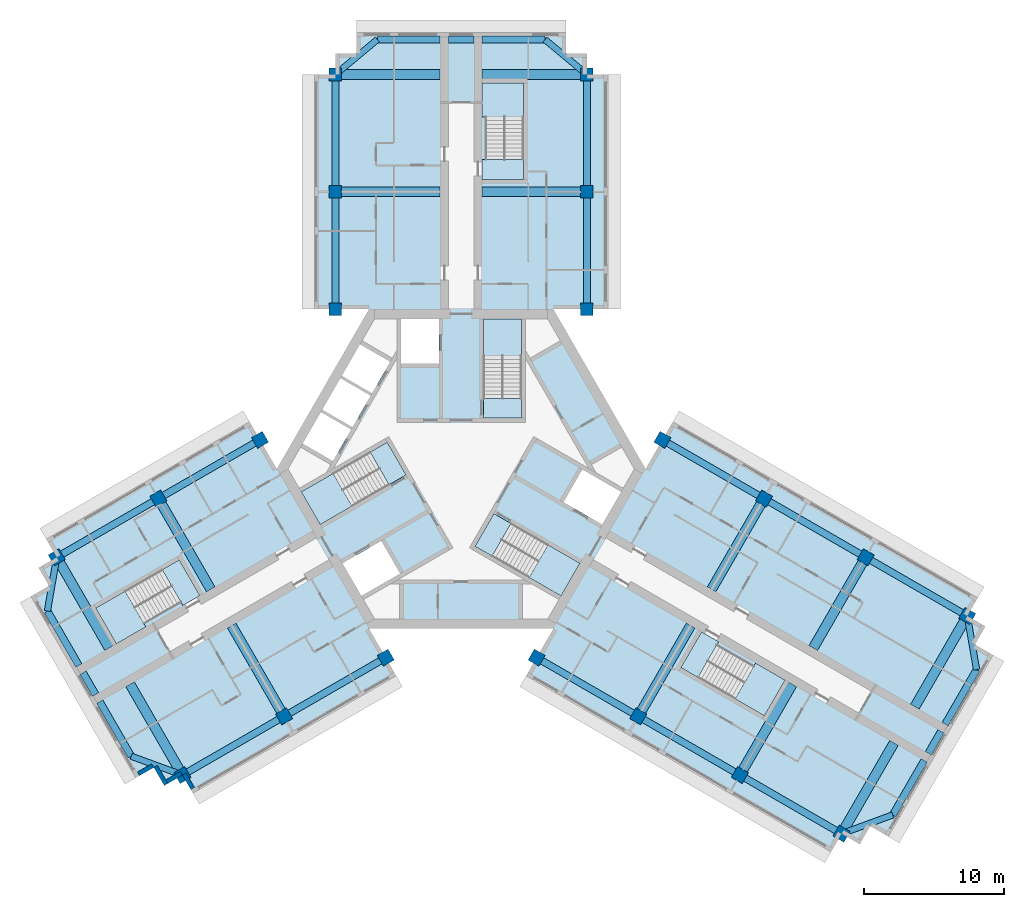
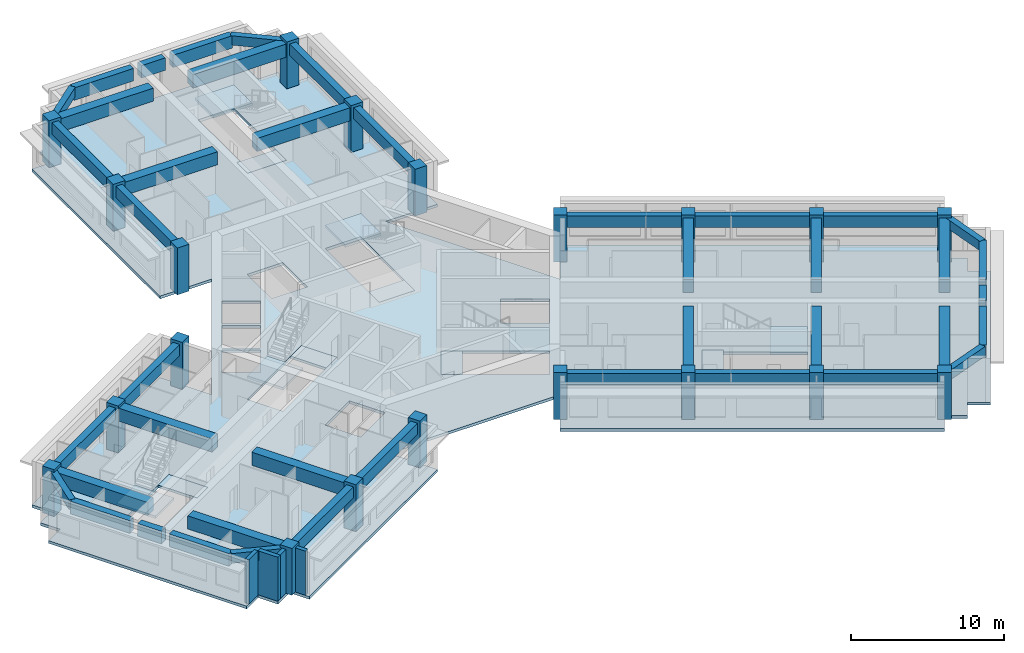
# One storey, part 1 of 10: 43 beams, 20 columns, 13 slabs, 4 walls, 6 elements without a shape of their own.
"""IFC4 building model written with IfcOpenShell, lengths in metres."""

from ifc_helpers import new_model, si_unit, direction, frame, frame_2d, origin, origin_2d, place, context, subcontext, project, spatial, polyline, rectangle, outline, extrude, material, layer, layer_set, material_profile, profile_set, type_object, element, aggregate, save


model = new_model("IFC4")

# Units and contexts
model_context = context("Model", 3, precision=1e-05, world=origin(), true_north=direction((0.0, 1.0)))
body_context = subcontext(model_context, "Body", "Model", "MODEL_VIEW")
ifc_project = project(units=[si_unit("LENGTHUNIT", "METRE"), si_unit("AREAUNIT", "SQUARE_METRE"), si_unit("VOLUMEUNIT", "CUBIC_METRE"), si_unit("PLANEANGLEUNIT", "RADIAN"), si_unit("MASSUNIT", "GRAM", prefix="KILO")], contexts=[model_context])

# Site, building, storey
site_placement = place(None, origin())
site = spatial("IfcSite", under=ifc_project, at=site_placement, CompositionType="ELEMENT")
building_placement = place(site_placement, origin())
building = spatial("IfcBuilding", under=site, at=building_placement, Name="Impinga Residences", CompositionType="ELEMENT")
storey_placement = place(building_placement, frame((0.0, 0.0, 226.0)))
storey = spatial("IfcBuildingStorey", under=building, at=storey_placement, Name="L56", CompositionType="ELEMENT", Elevation=226.0)

# Columns
ifc_material_1 = material(Name="Concrete C60/75", Category="concrete")
ifc_material_profile_1 = material_profile(ifc_material_1, rectangle(XDim=0.89990234375, YDim=0.89990234375, at=origin_2d()), Name="RC 900x900")
ifc_profile_set_1 = profile_set([ifc_material_profile_1], Name="Concrete C60/75")
column_type = type_object("IfcColumnType", Name="C4 900x900 column", PredefinedType="COLUMN", material=ifc_profile_set_1)
for number, where, z_axis, x_axis, name in (
    (1, (-9.0, 11.431640625, 0.0), (0.0, 0.0, 1.0), (1.0, 0.0, 0.0), "Column C4 N1/NA L56"),
    (2, (9.0, 11.431640625, 0.0), (0.0, 0.0, 1.0), (1.0, 0.0, 0.0), "Column C4 N1/NF L56"),
    (3, (-9.0, 19.83154296875, 0.0), (0.0, 0.0, 1.0), (1.0, 0.0, 0.0), "Column C4 N2/NA L56"),
    (4, (9.0, 19.83154296875, 0.0), (0.0, 0.0, 1.0), (1.0, 0.0, 0.0), "Column C4 N2/NF L56"),
    (5, (-9.0, 28.2314453125, 0.0), (0.0, 0.0, 1.0), (1.0, 0.0, 0.0), "Column C4 N3/NA L56"),
    (6, (9.0, 28.2314453125, 0.0), (0.0, 0.0, 1.0), (1.0, 0.0, 0.0), "Column C4 N3/NF L56"),
    (7, (-5.39990234375, -13.510009765625, 0.0), (0.0, 0.0, 1.0), (-0.5, 0.866025403784, 0.0), "Column C4 W1/WA L56"),
    (8, (-14.39990234375, 2.078369140625, 0.0), (0.0, 0.0, 1.0), (-0.5, 0.866025403784, 0.0), "Column C4 W1/WF L56"),
    (9, (-12.674560546875, -17.7099609375, 0.0), (0.0, 0.0, 1.0), (-0.5, 0.866025403784, 0.0), "Column C4 W2/WA L56"),
    (10, (-21.674560546875, -2.12158203125, 0.0), (0.0, 0.0, 1.0), (-0.5, 0.866025403784, 0.0), "Column C4 W2/WF L56"),
    (11, (-19.94921875, -21.909912109375, 0.0), (0.0, 0.0, 1.0), (-0.5, 0.866025403784, 0.0), "Column C4 W3/WA L56"),
    (12, (-28.94921875, -6.321533203125, 0.0), (0.0, 0.0, 1.0), (-0.5, 0.866025403784, 0.0), "Column C4 W3/WF L56"),
    (13, (14.39990234375, 2.078369140625, 0.0), (0.0, 0.0, 1.0), (-0.5, -0.866025403784, 0.0), "Column C4 E1/EA L56"),
    (14, (5.39990234375, -13.510009765625, 0.0), (0.0, 0.0, 1.0), (-0.5, -0.866025403784, 0.0), "Column C4 E1/EF L56"),
    (15, (21.674560546875, -2.12158203125, 0.0), (0.0, 0.0, 1.0), (-0.5, -0.866025403784, 0.0), "Column C4 E2/EA L56"),
    (16, (12.674560546875, -17.7099609375, 0.0), (0.0, 0.0, 1.0), (-0.5, -0.866025403784, 0.0), "Column C4 E2/EF L56"),
    (17, (28.94921875, -6.321533203125, 0.0), (0.0, 0.0, 1.0), (-0.5, -0.866025403784, 0.0), "Column C4 E3/EA L56"),
    (18, (19.94921875, -21.909912109375, 0.0), (0.0, 0.0, 1.0), (-0.5, -0.866025403784, 0.0), "Column C4 E3/EF L56"),
    (19, (36.223876953125, -10.521484375, 0.0), (0.0, 0.0, 1.0), (-0.5, -0.866025403784, 0.0), "Column C4 E4/EA L56"),
    (20, (27.223876953125, -26.110107421875, 0.0), (0.0, 0.0, 1.0), (-0.5, -0.866025403784, 0.0), "Column C4 E4/EF L56"),
):
    element("IfcColumn", number, at=place(storey_placement, frame(where, z_axis=z_axis, x_axis=x_axis)), inside=storey, type_object=column_type, Name=name, PredefinedType="COLUMN", context=body_context, shape_type="SweptSolid", body=[
        extrude(rectangle(XDim=0.89990234375, YDim=0.89990234375, at=origin_2d()), origin(), (0.0, 0.0, 1.0), 3.75),
    ])

# Beams
ifc_material_profile_2 = material_profile(ifc_material_1, rectangle(XDim=0.449951171875, YDim=0.75, at=origin_2d()), Name="RC 450x750")
ifc_profile_set_2 = profile_set([ifc_material_profile_2], Name="Concrete C60/75")
beam_type_1 = type_object("IfcBeamType", Name="CB1 450x750 wing end cantilever beam", PredefinedType="BEAM", material=ifc_profile_set_2)
for number, where, z_axis, x_axis, name in (
    (21, (-9.0, 28.2314453125, 3.155029296875), (0.768221279597, 0.640184399664, 0.0), (-0.640184399664, 0.768221279597, 0.0), "Beam CB1 NB N3-NX level L57"),
    (22, (9.0, 28.2314453125, 3.155029296875), (-0.768221279597, 0.640184399664, 0.0), (-0.640184399664, -0.768221279597, 0.0), "Beam CB1 NE N3-NX level L57"),
    (23, (-19.94921875, -21.909912109375, 3.155029296875), (-0.93854043338, 0.345169313396, 0.0), (-0.345169313396, -0.93854043338, 0.0), "Beam CB1 WB W3-WX level L57"),
):
    element("IfcBeam", number, at=place(storey_placement, frame(where, z_axis=z_axis, x_axis=x_axis)), inside=storey, type_object=beam_type_1, Name=name, PredefinedType="BEAM", context=body_context, shape_type="SweptSolid", body=[
        extrude(rectangle(XDim=0.449951171875, YDim=0.75, at=origin_2d()), origin(), (0.0, 0.0, 1.0), 3.905029296875),
    ])
for number, where, z_axis, x_axis, name in (
    (24, (-28.94921875, -6.321533203125, 3.155029296875), (-0.170296298948, -0.985392901621, 0.0), (0.985392901621, -0.170296298948, 0.0), "Beam CB1 WE W3-WX level L57"),
    (25, (36.223876953125, -10.521484375, 3.155029296875), (0.170296298948, -0.985392901621, 0.0), (0.985392901621, 0.170296298948, 0.0), "Beam CB1 EB E4-EX level L57"),
):
    element("IfcBeam", number, at=place(storey_placement, frame(where, z_axis=z_axis, x_axis=x_axis)), inside=storey, type_object=beam_type_1, Name=name, PredefinedType="BEAM", context=body_context, shape_type="SweptSolid", body=[
        extrude(rectangle(XDim=0.449951171875, YDim=0.75, at=origin_2d()), origin(), (0.0, 0.0, 1.0), 3.9052734375),
    ])
beam_1_placement = place(storey_placement, frame((27.223876953125, -26.110107421875, 3.155029296875), z_axis=(0.938520178725, 0.345224382289, 0.0), x_axis=(-0.345224382289, 0.938520178725, 0.0)))
element("IfcBeam", 26, at=beam_1_placement, inside=storey, type_object=beam_type_1, Name="Beam CB1 EE E4-EX level L57", PredefinedType="BEAM", context=body_context, shape_type="SweptSolid", body=[
    extrude(rectangle(XDim=0.449951171875, YDim=0.75, at=origin_2d()), origin(), (0.0, 0.0, 1.0), 3.905029296875),
])
ifc_material_profile_3 = material_profile(ifc_material_1, rectangle(XDim=0.699951171875, YDim=1.050048828125, at=origin_2d()), Name="RC 700x1050")
ifc_profile_set_3 = profile_set([ifc_material_profile_3], Name="Concrete C60/75")
beam_type_2 = type_object("IfcBeamType", Name="CG1 700x1050 cross girder on a wing bay line", PredefinedType="BEAM", material=ifc_profile_set_3)
for number, where, z_axis, x_axis, name in (
    (27, (-1.5, 19.83154296875, 3.0048828125), (-1.0, 0.0, 0.0), (0.0, -1.0, 0.0), "Beam CG1 N2 NC/NA level L57"),
    (28, (-1.5, 28.2314453125, 3.0048828125), (-1.0, 0.0, 0.0), (0.0, -1.0, 0.0), "Beam CG1 N3 NC/NA level L57"),
    (29, (1.5, 19.83154296875, 3.0048828125), (1.0, 0.0, 0.0), (0.0, 1.0, 0.0), "Beam CG1 N2 NC/NF level L57"),
    (30, (1.5, 28.2314453125, 3.0048828125), (1.0, 0.0, 0.0), (0.0, 1.0, 0.0), "Beam CG1 N3 NC/NF level L57"),
    (31, (-16.424560546875, -11.21484375, 3.0048828125), (0.500004234368, -0.866022959057, 0.0), (0.866022959057, 0.500004234368, 0.0), "Beam CG1 W2 WC/WA level L57"),
    (32, (-23.69921875, -15.414794921875, 3.0048828125), (0.500004234368, -0.866022959057, 0.0), (0.866022959057, 0.500004234368, 0.0), "Beam CG1 W3 WC/WA level L57"),
    (33, (-17.924560546875, -8.61669921875, 3.0048828125), (-0.500004234368, 0.866022959057, 0.0), (-0.866022959057, -0.500004234368, 0.0), "Beam CG1 W2 WC/WF level L57"),
    (34, (-25.19921875, -12.816650390625, 3.0048828125), (-0.500004234368, 0.866022959057, 0.0), (-0.866022959057, -0.500004234368, 0.0), "Beam CG1 W3 WC/WF level L57"),
    (35, (17.924560546875, -8.61669921875, 3.0048828125), (0.500004234368, 0.866022959057, 0.0), (-0.866022959057, 0.500004234368, 0.0), "Beam CG1 E2 EC/EA level L57"),
    (36, (25.19921875, -12.816650390625, 3.0048828125), (0.500004234368, 0.866022959057, 0.0), (-0.866022959057, 0.500004234368, 0.0), "Beam CG1 E3 EC/EA level L57"),
):
    element("IfcBeam", number, at=place(storey_placement, frame(where, z_axis=z_axis, x_axis=x_axis)), inside=storey, type_object=beam_type_2, Name=name, PredefinedType="BEAM", context=body_context, shape_type="SweptSolid", body=[
        extrude(rectangle(XDim=0.699951171875, YDim=1.050048828125, at=origin_2d()), origin(), (0.0, 0.0, 1.0), 7.5),
    ])
beam_2_placement = place(storey_placement, frame((32.473876953125, -17.016845703125, 3.0048828125), z_axis=(0.499990139034, 0.866031096941, 0.0), x_axis=(-0.866031096941, 0.499990139034, 0.0)))
element("IfcBeam", 37, at=beam_2_placement, inside=storey, type_object=beam_type_2, Name="Beam CG1 E4 EC/EA level L57", PredefinedType="BEAM", context=body_context, shape_type="SweptSolid", body=[
    extrude(rectangle(XDim=0.699951171875, YDim=1.050048828125, at=origin_2d()), origin(), (0.0, 0.0, 1.0), 7.500244140625),
])
for number, where, z_axis, x_axis, name in (
    (38, (16.424560546875, -11.21484375, 3.0048828125), (-0.500004234368, -0.866022959057, 0.0), (0.866022959057, -0.500004234368, 0.0), "Beam CG1 E2 EC/EF level L57"),
    (39, (23.69921875, -15.414794921875, 3.0048828125), (-0.500004234368, -0.866022959057, 0.0), (0.866022959057, -0.500004234368, 0.0), "Beam CG1 E3 EC/EF level L57"),
):
    element("IfcBeam", number, at=place(storey_placement, frame(where, z_axis=z_axis, x_axis=x_axis)), inside=storey, type_object=beam_type_2, Name=name, PredefinedType="BEAM", context=body_context, shape_type="SweptSolid", body=[
        extrude(rectangle(XDim=0.699951171875, YDim=1.050048828125, at=origin_2d()), origin(), (0.0, 0.0, 1.0), 7.5),
    ])
beam_3_placement = place(storey_placement, frame((30.973876953125, -19.61474609375, 3.0048828125), z_axis=(-0.499990139034, -0.866031096941, 0.0), x_axis=(0.866031096941, -0.499990139034, 0.0)))
element("IfcBeam", 40, at=beam_3_placement, inside=storey, type_object=beam_type_2, Name="Beam CG1 E4 EC/EF level L57", PredefinedType="BEAM", context=body_context, shape_type="SweptSolid", body=[
    extrude(rectangle(XDim=0.699951171875, YDim=1.050048828125, at=origin_2d()), origin(), (0.0, 0.0, 1.0), 7.500244140625),
])
ifc_material_profile_4 = material_profile(ifc_material_1, rectangle(XDim=0.5, YDim=1.0, at=origin_2d()), Name="RC 500x1000")
ifc_profile_set_4 = profile_set([ifc_material_profile_4], Name="Concrete C60/75")
beam_type_3 = type_object("IfcBeamType", Name="EB1 500x1000 wing end beam", PredefinedType="BEAM", material=ifc_profile_set_4)
beam_4_placement = place(storey_placement, frame((-6.0, 30.7314453125, 3.030029296875), z_axis=(1.0, 0.0, 0.0), x_axis=(0.0, 1.0, 0.0)))
element("IfcBeam", 41, at=beam_4_placement, inside=storey, type_object=beam_type_3, Name="Beam EB1 NX2 level L57", PredefinedType="BEAM", context=body_context, shape_type="SweptSolid", body=[
    extrude(rectangle(XDim=0.5, YDim=1.0, at=origin_2d()), origin(), (0.0, 0.0, 1.0), 4.5),
])
beam_5_placement = place(storey_placement, frame((-0.89990234375, 30.7314453125, 3.030029296875), z_axis=(1.0, 0.0, 0.0), x_axis=(0.0, 1.0, 0.0)))
element("IfcBeam", 42, at=beam_5_placement, inside=storey, type_object=beam_type_3, Name="Beam EB1 NX2 level L57", PredefinedType="BEAM", context=body_context, shape_type="SweptSolid", body=[
    extrude(rectangle(XDim=0.5, YDim=1.0, at=origin_2d()), origin(), (0.0, 0.0, 1.0), 1.7998046875),
])
for number, where, z_axis, x_axis, name in (
    (43, (1.5, 30.7314453125, 3.030029296875), (1.0, 0.0, 0.0), (0.0, 1.0, 0.0), "Beam EB1 NX2 level L57"),
    (44, (-23.6142578125, -20.56201171875, 3.030029296875), (-0.499990139034, 0.866031096941, 0.0), (-0.866031096941, -0.499990139034, 0.0), "Beam EB1 WX2 level L57"),
):
    element("IfcBeam", number, at=place(storey_placement, frame(where, z_axis=z_axis, x_axis=x_axis)), inside=storey, type_object=beam_type_3, Name=name, PredefinedType="BEAM", context=body_context, shape_type="SweptSolid", body=[
        extrude(rectangle(XDim=0.5, YDim=1.0, at=origin_2d()), origin(), (0.0, 0.0, 1.0), 4.5),
    ])
beam_6_placement = place(storey_placement, frame((-26.164306640625, -16.145263671875, 3.030029296875), z_axis=(-0.499961193289, 0.866047807691, 0.0), x_axis=(-0.866047807691, -0.499961193289, 0.0)))
element("IfcBeam", 45, at=beam_6_placement, inside=storey, type_object=beam_type_3, Name="Beam EB1 WX2 level L57", PredefinedType="BEAM", context=body_context, shape_type="SweptSolid", body=[
    extrude(rectangle(XDim=0.5, YDim=1.0, at=origin_2d()), origin(), (0.0, 0.0, 1.0), 1.800048828125),
])
beam_7_placement = place(storey_placement, frame((-27.3642578125, -14.066650390625, 3.030029296875), z_axis=(-0.500013631625, 0.866017533419, 0.0), x_axis=(-0.866017533419, -0.500013631625, 0.0)))
element("IfcBeam", 46, at=beam_7_placement, inside=storey, type_object=beam_type_3, Name="Beam EB1 WX2 level L57", PredefinedType="BEAM", context=body_context, shape_type="SweptSolid", body=[
    extrude(rectangle(XDim=0.5, YDim=1.0, at=origin_2d()), origin(), (0.0, 0.0, 1.0), 4.499755859375),
])
beam_8_placement = place(storey_placement, frame((36.888916015625, -14.36962890625, 3.030029296875), z_axis=(-0.499990139034, -0.866031096941, 0.0), x_axis=(0.866031096941, -0.499990139034, 0.0)))
element("IfcBeam", 47, at=beam_8_placement, inside=storey, type_object=beam_type_3, Name="Beam EB1 EX3 level L57", PredefinedType="BEAM", context=body_context, shape_type="SweptSolid", body=[
    extrude(rectangle(XDim=0.5, YDim=1.0, at=origin_2d()), origin(), (0.0, 0.0, 1.0), 4.5),
])
beam_9_placement = place(storey_placement, frame((34.3388671875, -18.786376953125, 3.030029296875), z_axis=(-0.499961193289, -0.866047807691, 0.0), x_axis=(0.866047807691, -0.499961193289, 0.0)))
element("IfcBeam", 48, at=beam_9_placement, inside=storey, type_object=beam_type_3, Name="Beam EB1 EX3 level L57", PredefinedType="BEAM", context=body_context, shape_type="SweptSolid", body=[
    extrude(rectangle(XDim=0.5, YDim=1.0, at=origin_2d()), origin(), (0.0, 0.0, 1.0), 1.800048828125),
])
beam_10_placement = place(storey_placement, frame((33.138916015625, -20.86474609375, 3.030029296875), z_axis=(-0.499990139034, -0.866031096941, 0.0), x_axis=(0.866031096941, -0.499990139034, 0.0)))
element("IfcBeam", 49, at=beam_10_placement, inside=storey, type_object=beam_type_3, Name="Beam EB1 EX3 level L57", PredefinedType="BEAM", context=body_context, shape_type="SweptSolid", body=[
    extrude(rectangle(XDim=0.5, YDim=1.0, at=origin_2d()), origin(), (0.0, 0.0, 1.0), 4.5),
])
ifc_material_profile_5 = material_profile(ifc_material_1, rectangle(XDim=0.5, YDim=0.89990234375, at=origin_2d()), Name="RC 500x900")
ifc_profile_set_5 = profile_set([ifc_material_profile_5], Name="Concrete C60/75")
beam_type_4 = type_object("IfcBeamType", Name="SB1 500x900 perimeter spandrel beam", PredefinedType="SPANDREL", material=ifc_profile_set_5)
for number, where, z_axis, x_axis, name in (
    (50, (-9.0, 11.431640625, 3.080078125), (0.0, 1.0, 0.0), (-1.0, 0.0, 0.0), "Beam SB1 NA N1-N2 level L57"),
    (51, (-9.0, 19.83154296875, 3.080078125), (0.0, 1.0, 0.0), (-1.0, 0.0, 0.0), "Beam SB1 NA N2-N3 level L57"),
    (52, (9.0, 11.431640625, 3.080078125), (0.0, 1.0, 0.0), (-1.0, 0.0, 0.0), "Beam SB1 NF N1-N2 level L57"),
    (53, (9.0, 19.83154296875, 3.080078125), (0.0, 1.0, 0.0), (-1.0, 0.0, 0.0), "Beam SB1 NF N2-N3 level L57"),
    (54, (-5.39990234375, -13.510009765625, 3.080078125), (-0.86602925447, -0.499993330357, 0.0), (0.499993330357, -0.86602925447, 0.0), "Beam SB1 WA W1-W2 level L57"),
    (55, (-12.674560546875, -17.7099609375, 3.080078125), (-0.86602925447, -0.499993330357, 0.0), (0.499993330357, -0.86602925447, 0.0), "Beam SB1 WA W2-W3 level L57"),
    (56, (-14.39990234375, 2.078369140625, 3.080078125), (-0.86602925447, -0.499993330357, 0.0), (0.499993330357, -0.86602925447, 0.0), "Beam SB1 WF W1-W2 level L57"),
    (57, (-21.674560546875, -2.12158203125, 3.080078125), (-0.86602925447, -0.499993330357, 0.0), (0.499993330357, -0.86602925447, 0.0), "Beam SB1 WF W2-W3 level L57"),
    (58, (14.39990234375, 2.078369140625, 3.080078125), (0.86602925447, -0.499993330357, 0.0), (0.499993330357, 0.86602925447, 0.0), "Beam SB1 EA E1-E2 level L57"),
    (59, (21.674560546875, -2.12158203125, 3.080078125), (0.86602925447, -0.499993330357, 0.0), (0.499993330357, 0.86602925447, 0.0), "Beam SB1 EA E2-E3 level L57"),
    (60, (28.94921875, -6.321533203125, 3.080078125), (0.86602925447, -0.499993330357, 0.0), (0.499993330357, 0.86602925447, 0.0), "Beam SB1 EA E3-E4 level L57"),
    (61, (5.39990234375, -13.510009765625, 3.080078125), (0.86602925447, -0.499993330357, 0.0), (0.499993330357, 0.86602925447, 0.0), "Beam SB1 EF E1-E2 level L57"),
    (62, (12.674560546875, -17.7099609375, 3.080078125), (0.86602925447, -0.499993330357, 0.0), (0.499993330357, 0.86602925447, 0.0), "Beam SB1 EF E2-E3 level L57"),
):
    element("IfcBeam", number, at=place(storey_placement, frame(where, z_axis=z_axis, x_axis=x_axis)), inside=storey, type_object=beam_type_4, Name=name, PredefinedType="SPANDREL", context=body_context, shape_type="SweptSolid", body=[
        extrude(rectangle(XDim=0.5, YDim=0.89990234375, at=origin_2d()), origin(), (0.0, 0.0, 1.0), 8.39990234375),
    ])
beam_11_placement = place(storey_placement, frame((19.94921875, -21.909912109375, 3.080078125), z_axis=(0.866016669275, -0.500015128309, 0.0), x_axis=(0.500015128309, 0.866016669275, 0.0)))
element("IfcBeam", 63, at=beam_11_placement, inside=storey, type_object=beam_type_4, Name="Beam SB1 EF E3-E4 level L57", PredefinedType="SPANDREL", context=body_context, shape_type="SweptSolid", body=[
    extrude(rectangle(XDim=0.5, YDim=0.89990234375, at=origin_2d()), origin(), (0.0, 0.0, 1.0), 8.400146484375),
])

# Slab
ifc_layer_1 = layer(ifc_material_1, 0.219970703125)
ifc_layer_set_1 = layer_set([ifc_layer_1], Name="Concrete C60/75")
slab_type_1 = type_object("IfcSlabType", Name="FS1 tower floor slab 220", PredefinedType="FLOOR", material=ifc_layer_set_1)
slab_1_placement = place(storey_placement, frame((0.0, 0.0, -0.219970703125)))
element("IfcSlab", 64, at=slab_1_placement, inside=storey, type_object=slab_type_1, Name="Floor slab FS1 L56", PredefinedType="FLOOR", context=body_context, shape_type="SweptSolid", body=[
    extrude(outline(polyline([(36.223876953125, -10.521484375), (37.52294921875, -11.271484375), (36.77294921875, -12.570556640625), (38.072021484375, -13.320556640625), (30.572021484375, -26.31103515625), (29.27294921875, -25.56103515625), (28.52294921875, -26.860107421875), (27.223876953125, -26.110107421875), (26.473876953125, -27.408935546875), (4.64990234375, -14.80908203125), (9.900146484375, -5.7158203125), (6.60009765625, -11.431640625), (-6.60009765625, -11.431640625), (-9.900146484375, -5.7158203125), (-4.64990234375, -14.80908203125), (-19.19921875, -23.208984375), (-19.94921875, -21.909912109375), (-21.248291015625, -22.659912109375), (-21.998291015625, -21.36083984375), (-23.29736328125, -22.11083984375), (-30.79736328125, -9.12060546875), (-29.498291015625, -8.37060546875), (-30.248291015625, -7.071533203125), (-28.94921875, -6.321533203125), (-29.69921875, -5.0224609375), (-15.14990234375, 3.37744140625), (-13.199951171875, 0.0), (-6.60009765625, 11.431640625), (-10.5, 11.431640625), (-10.5, 28.2314453125), (-9.0, 28.2314453125), (-9.0, 29.7314453125), (-7.5, 29.7314453125), (-7.5, 31.2314453125), (7.5, 31.2314453125), (7.5, 29.7314453125), (9.0, 29.7314453125), (9.0, 28.2314453125), (10.5, 28.2314453125), (10.5, 11.431640625), (6.60009765625, 11.431640625), (13.199951171875, 0.0), (15.14990234375, 3.37744140625), (36.973876953125, -9.222412109375), (36.223876953125, -10.521484375)]), holes=[polyline([(-18.7041015625, -9.066650390625), (-18.8291015625, -8.850341796875), (-18.8291015625, -8.850341796875), (-20.178955078125, -6.511962890625), (-21.391357421875, -7.2119140625), (-21.391357421875, -7.2119140625), (-26.154541015625, -9.9619140625), (-24.8046875, -12.30029296875), (-20.04150390625, -9.55029296875), (-19.91650390625, -9.766845703125), (-18.7041015625, -9.066650390625)]), polyline([(-5.72119140625, -5.150634765625), (-8.493896484375, -6.75146484375), (-7.143798828125, -9.089599609375), (-4.37109375, -7.489013671875), (-5.72119140625, -5.150634765625)]), polyline([(-5.293701171875, 1.908935546875), (-11.44384765625, -1.641845703125), (-10.09375, -3.980224609375), (-3.943603515625, -0.429443359375), (-5.293701171875, 1.908935546875)]), polyline([(-7.878662109375, 2.816650390625), (-10.043701171875, 4.066650390625), (-11.34375, 1.81494140625), (-9.1787109375, 0.56494140625), (-7.878662109375, 2.816650390625)]), polyline([(-6.478759765625, 5.24169921875), (-8.643798828125, 6.49169921875), (-9.94384765625, 4.239990234375), (-7.77880859375, 2.989990234375), (-6.478759765625, 5.24169921875)]), polyline([(-6.378662109375, 5.414794921875), (-5.07861328125, 7.66650390625), (-7.243896484375, 8.91650390625), (-8.543701171875, 6.664794921875), (-6.378662109375, 5.414794921875)]), polyline([(-4.300048828125, 7.530029296875), (-1.60009765625, 7.530029296875), (-1.60009765625, 10.7314453125), (-4.300048828125, 10.7314453125), (-4.300048828125, 7.530029296875)]), polyline([(15.72900390625, -14.219482421875), (21.70458984375, -17.669677734375), (23.0546875, -15.331298828125), (18.29150390625, -12.581298828125), (18.41650390625, -12.36474609375), (17.2041015625, -11.664794921875), (15.72900390625, -14.219482421875)]), polyline([(0.99365234375, -5.538818359375), (7.143798828125, -9.089599609375), (8.493896484375, -6.75146484375), (2.34375, -3.20068359375), (0.99365234375, -5.538818359375)]), polyline([(7.3212890625, -2.37939453125), (10.09375, -3.980224609375), (11.44384765625, -1.641845703125), (8.671142578125, -0.041015625), (7.3212890625, -2.37939453125)]), polyline([(4.300048828125, 3.6298828125), (4.300048828125, 10.7314453125), (1.60009765625, 10.7314453125), (1.60009765625, 3.6298828125), (4.300048828125, 3.6298828125)]), polyline([(1.75, 22.131591796875), (1.5, 22.131591796875), (1.5, 20.7314453125), (1.75, 20.7314453125), (4.449951171875, 20.7314453125), (4.449951171875, 22.131591796875), (4.449951171875, 27.631591796875), (1.75, 27.631591796875), (1.75, 22.131591796875)])]), origin(), (0.0, 0.0, 1.0), 0.219970703125),
])

# Stair, slabs
ifc_material_2 = material(Name="Concrete C40/50", Category="concrete")
stair_type_1 = type_object("IfcStairType", Name="STR core stair 3750 storey, 24 risers", PredefinedType="HALF_TURN_STAIR", material=ifc_material_2)
stair_1_placement = place(storey_placement, origin())
stair_1 = element("IfcStair", 65, at=stair_1_placement, inside=storey, type_object=stair_type_1, Name="Stair ST1 L56", PredefinedType="HALF_TURN_STAIR")
ifc_layer_2 = layer(ifc_material_2, 0.199951171875)
ifc_layer_set_2 = layer_set([ifc_layer_2], Name="Concrete C40/50")
slab_type_2 = type_object("IfcSlabType", Name="LS1 stair landing 200", PredefinedType="LANDING", material=ifc_layer_set_2)
slab_2_placement = place(storey_placement, frame((0.0, 0.0, -0.199951171875)))
slab_2 = element("IfcSlab", 66, at=slab_2_placement, type_object=slab_type_2, Name="ST1 landing 1", PredefinedType="LANDING", context=body_context, shape_type="SweptSolid", body=[
    extrude(outline(polyline([(1.60009765625, 3.6298828125), (4.300048828125, 3.6298828125), (4.300048828125, 5.0400390625), (1.60009765625, 5.0400390625), (1.60009765625, 3.6298828125)])), origin(), (0.0, 0.0, 1.0), 0.199951171875),
])
slab_3_placement = place(storey_placement, frame((0.0, 0.0, 1.675048828125)))
slab_3 = element("IfcSlab", 67, at=slab_3_placement, type_object=slab_type_2, Name="ST1 landing 2", PredefinedType="LANDING", context=body_context, shape_type="SweptSolid", body=[
    extrude(outline(polyline([(1.60009765625, 8.10009765625), (4.300048828125, 8.10009765625), (4.300048828125, 10.7314453125), (1.60009765625, 10.7314453125), (1.60009765625, 8.10009765625)])), origin(), (0.0, 0.0, 1.0), 0.199951171875),
])
aggregate(stair_1, [slab_2, slab_3])

stair_2_placement = place(storey_placement, origin())
stair_2 = element("IfcStair", 68, at=stair_2_placement, inside=storey, type_object=stair_type_1, Name="Stair ST2 L56", PredefinedType="HALF_TURN_STAIR")
slab_4_placement = place(storey_placement, frame((0.0, 0.0, -0.199951171875)))
slab_4 = element("IfcSlab", 69, at=slab_4_placement, type_object=slab_type_2, Name="ST2 landing 1", PredefinedType="LANDING", context=body_context, shape_type="SweptSolid", body=[
    extrude(outline(polyline([(-3.943603515625, -0.429443359375), (-5.293701171875, 1.908935546875), (-6.5146484375, 1.203857421875), (-5.164794921875, -1.13427734375), (-3.943603515625, -0.429443359375)])), origin(), (0.0, 0.0, 1.0), 0.199951171875),
])
slab_5_placement = place(storey_placement, frame((0.0, 0.0, 1.675048828125)))
slab_5 = element("IfcSlab", 70, at=slab_5_placement, type_object=slab_type_2, Name="ST2 landing 2", PredefinedType="LANDING", context=body_context, shape_type="SweptSolid", body=[
    extrude(outline(polyline([(-7.814697265625, -2.664306640625), (-9.164794921875, -0.326171875), (-11.44384765625, -1.641845703125), (-10.09375, -3.980224609375), (-7.814697265625, -2.664306640625)])), origin(), (0.0, 0.0, 1.0), 0.199951171875),
])
aggregate(stair_2, [slab_4, slab_5])

stair_3_placement = place(storey_placement, origin())
stair_3 = element("IfcStair", 71, at=stair_3_placement, inside=storey, type_object=stair_type_1, Name="Stair ST3 L56", PredefinedType="HALF_TURN_STAIR")
slab_6_placement = place(storey_placement, frame((0.0, 0.0, -0.199951171875)))
slab_6 = element("IfcSlab", 72, at=slab_6_placement, type_object=slab_type_2, Name="ST3 landing 1", PredefinedType="LANDING", context=body_context, shape_type="SweptSolid", body=[
    extrude(outline(polyline([(2.34375, -3.20068359375), (0.99365234375, -5.538818359375), (2.21484375, -6.243896484375), (3.564697265625, -3.90576171875), (2.34375, -3.20068359375)])), origin(), (0.0, 0.0, 1.0), 0.199951171875),
])
slab_7_placement = place(storey_placement, frame((0.0, 0.0, 1.675048828125)))
slab_7 = element("IfcSlab", 73, at=slab_7_placement, type_object=slab_type_2, Name="ST3 landing 2", PredefinedType="LANDING", context=body_context, shape_type="SweptSolid", body=[
    extrude(outline(polyline([(6.21484375, -5.435546875), (4.86474609375, -7.77392578125), (7.143798828125, -9.089599609375), (8.493896484375, -6.75146484375), (6.21484375, -5.435546875)])), origin(), (0.0, 0.0, 1.0), 0.199951171875),
])
aggregate(stair_3, [slab_6, slab_7])

stair_type_2 = type_object("IfcStairType", Name="STR wing stair 3750 storey, 24 risers", PredefinedType="HALF_TURN_STAIR", material=ifc_material_2)
stair_4_placement = place(storey_placement, origin())
stair_4 = element("IfcStair", 74, at=stair_4_placement, inside=storey, type_object=stair_type_2, Name="Stair WS1 L56", PredefinedType="HALF_TURN_STAIR")
slab_8_placement = place(storey_placement, frame((0.0, 0.0, -0.199951171875)))
slab_8 = element("IfcSlab", 75, at=slab_8_placement, type_object=slab_type_2, Name="WS1 landing 1", PredefinedType="LANDING", context=body_context, shape_type="SweptSolid", body=[
    extrude(outline(polyline([(1.5, 20.7314453125), (4.449951171875, 20.7314453125), (4.449951171875, 22.1416015625), (1.5, 22.1416015625), (1.5, 20.7314453125)])), origin(), (0.0, 0.0, 1.0), 0.199951171875),
])
slab_9_placement = place(storey_placement, frame((0.0, 0.0, 1.675048828125)))
slab_9 = element("IfcSlab", 76, at=slab_9_placement, type_object=slab_type_2, Name="WS1 landing 2", PredefinedType="LANDING", context=body_context, shape_type="SweptSolid", body=[
    extrude(outline(polyline([(1.5, 25.201416015625), (4.449951171875, 25.201416015625), (4.449951171875, 27.631591796875), (1.5, 27.631591796875), (1.5, 25.201416015625)])), origin(), (0.0, 0.0, 1.0), 0.199951171875),
])
aggregate(stair_4, [slab_8, slab_9])

stair_5_placement = place(storey_placement, origin())
stair_5 = element("IfcStair", 77, at=stair_5_placement, inside=storey, type_object=stair_type_2, Name="Stair WS2 L56", PredefinedType="HALF_TURN_STAIR")
slab_10_placement = place(storey_placement, frame((0.0, 0.0, -0.199951171875)))
slab_10 = element("IfcSlab", 78, at=slab_10_placement, type_object=slab_type_2, Name="WS2 landing 1", PredefinedType="LANDING", context=body_context, shape_type="SweptSolid", body=[
    extrude(outline(polyline([(-18.7041015625, -9.066650390625), (-20.178955078125, -6.511962890625), (-21.400146484375, -7.217041015625), (-19.925048828125, -9.771728515625), (-18.7041015625, -9.066650390625)])), origin(), (0.0, 0.0, 1.0), 0.199951171875),
])
slab_11_placement = place(storey_placement, frame((0.0, 0.0, 1.675048828125)))
slab_11 = element("IfcSlab", 79, at=slab_11_placement, type_object=slab_type_2, Name="WS2 landing 2", PredefinedType="LANDING", context=body_context, shape_type="SweptSolid", body=[
    extrude(outline(polyline([(-22.5751953125, -11.3017578125), (-24.050048828125, -8.7470703125), (-26.154541015625, -9.9619140625), (-24.6796875, -12.516845703125), (-22.5751953125, -11.3017578125)])), origin(), (0.0, 0.0, 1.0), 0.199951171875),
])
aggregate(stair_5, [slab_10, slab_11])

stair_6_placement = place(storey_placement, origin())
stair_6 = element("IfcStair", 80, at=stair_6_placement, inside=storey, type_object=stair_type_2, Name="Stair WS3 L56", PredefinedType="HALF_TURN_STAIR")
slab_12_placement = place(storey_placement, frame((0.0, 0.0, -0.199951171875)))
slab_12 = element("IfcSlab", 81, at=slab_12_placement, type_object=slab_type_2, Name="WS3 landing 1", PredefinedType="LANDING", context=body_context, shape_type="SweptSolid", body=[
    extrude(outline(polyline([(17.2041015625, -11.664794921875), (15.72900390625, -14.219482421875), (16.9501953125, -14.924560546875), (18.425048828125, -12.369873046875), (17.2041015625, -11.664794921875)])), origin(), (0.0, 0.0, 1.0), 0.199951171875),
])
slab_13_placement = place(storey_placement, frame((0.0, 0.0, 1.675048828125)))
slab_13 = element("IfcSlab", 82, at=slab_13_placement, type_object=slab_type_2, Name="WS3 landing 2", PredefinedType="LANDING", context=body_context, shape_type="SweptSolid", body=[
    extrude(outline(polyline([(21.0751953125, -13.89990234375), (19.60009765625, -16.45458984375), (21.70458984375, -17.669677734375), (23.1796875, -15.11474609375), (21.0751953125, -13.89990234375)])), origin(), (0.0, 0.0, 1.0), 0.199951171875),
])
aggregate(stair_6, [slab_12, slab_13])

# Walls
ifc_material_3 = material(Name="Terracotta rainscreen on blockwork", Category="masonry")
ifc_layer_3 = layer(ifc_material_3, 0.300048828125)
ifc_layer_set_3 = layer_set([ifc_layer_3], Name="EW1 external wall, terracotta rainscreen on blockwork 300")
wall_type = type_object("IfcWallType", Name="EW1 external wall, terracotta rainscreen on blockwork 300", PredefinedType="SOLIDWALL", material=ifc_layer_set_3)
wall_1_placement = place(storey_placement, frame((-19.21923828125, -22.874267578125, 0.0), z_axis=(0.0, 0.0, 1.0), x_axis=(-0.500033551112, 0.866006032174, 0.0)))
element("IfcWall", 83, at=wall_1_placement, inside=storey, type_object=wall_type, Name="External wall EW1 L56", PredefinedType="SOLIDWALL", context=body_context, shape_type="SweptSolid", body=[
    extrude(rectangle(XDim=1.2001953125, YDim=0.300048828125, at=frame_2d((0.60009765625, 0.0))), origin(), (0.0, 0.0, 1.0), 3.530029296875),
])
wall_2_placement = place(storey_placement, frame((-20.028564453125, -21.782470703125, 0.0), z_axis=(0.0, 0.0, 1.0), x_axis=(-0.865971243484, -0.500093796661, 0.0)))
element("IfcWall", 84, at=wall_2_placement, inside=storey, type_object=wall_type, Name="External wall EW1 L56", PredefinedType="SOLIDWALL", context=body_context, shape_type="SweptSolid", body=[
    extrude(rectangle(XDim=1.195068359375, YDim=0.300048828125, at=frame_2d((0.59765625, 0.0))), origin(), (0.0, 0.0, 1.0), 3.530029296875),
])
wall_3_placement = place(storey_placement, frame((-21.118408203125, -22.5849609375, 0.0), z_axis=(0.0, 0.0, 1.0), x_axis=(-0.499990139034, 0.866031096941, 0.0)))
element("IfcWall", 85, at=wall_3_placement, inside=storey, type_object=wall_type, Name="External wall EW1 L56", PredefinedType="SOLIDWALL", context=body_context, shape_type="SweptSolid", body=[
    extrude(rectangle(XDim=1.5, YDim=0.300048828125, at=frame_2d((0.75, 0.0))), origin(), (0.0, 0.0, 1.0), 3.530029296875),
])
wall_4_placement = place(storey_placement, frame((-22.07763671875, -21.233642578125, 0.0), z_axis=(0.0, 0.0, 1.0), x_axis=(-0.866059708757, -0.499940577336, 0.0)))
element("IfcWall", 86, at=wall_4_placement, inside=storey, type_object=wall_type, Name="External wall EW1 L56", PredefinedType="SOLIDWALL", context=body_context, shape_type="SweptSolid", body=[
    extrude(rectangle(XDim=1.195068359375, YDim=0.300048828125, at=frame_2d((0.59765625, 0.0))), origin(), (0.0, 0.0, 1.0), 3.530029296875),
])

save(model, "model.ifc")
